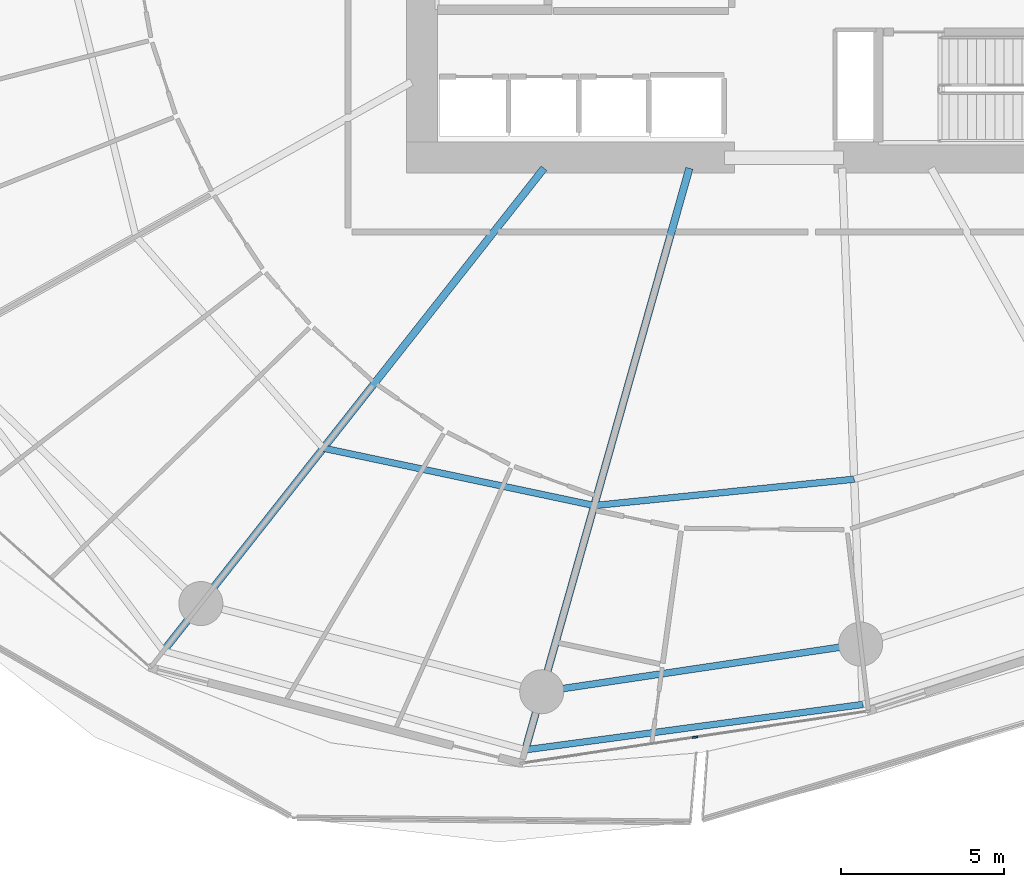
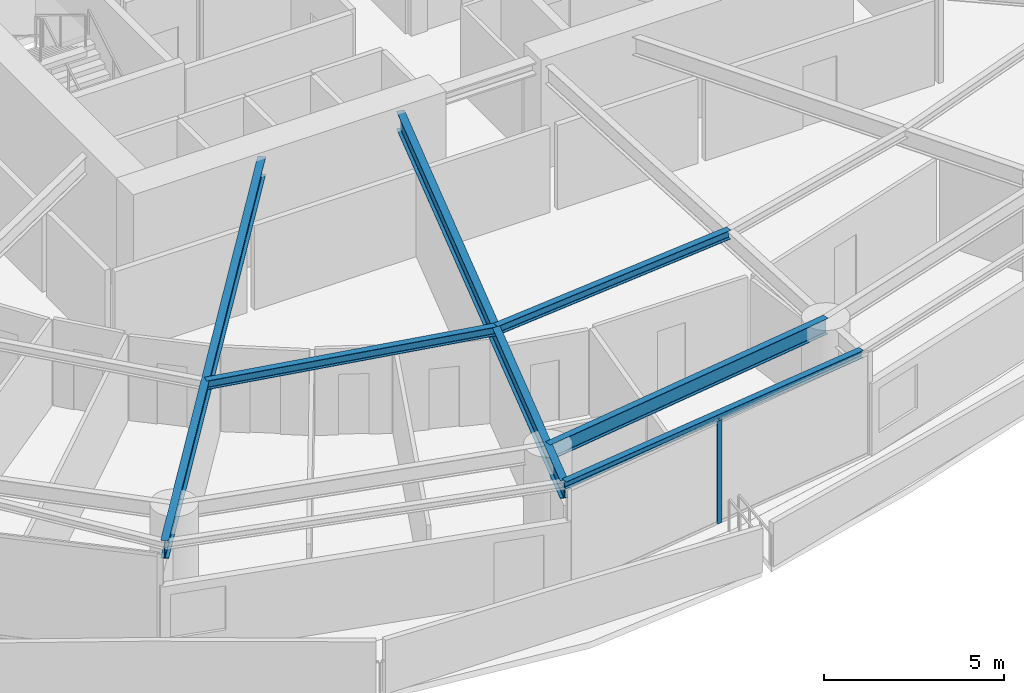
# One storey, part 8 of 30: 6 beams, 1 member, 1 element without a shape of its own.
"""IFC4 building model written with IfcOpenShell, lengths in metres."""

import ifcopenshell
import ifcopenshell.guid

model = None  # the IFC model being written
_history = None  # IfcOwnerHistory: only IFC2X3 demands one
_inside = {}  # id of a spatial element -> (the spatial element, [elements in it])
_under = {}  # id of a project, library or spatial element -> (it, [spatial elements below it])
_declared = {}  # id of a project -> (the project, [libraries it declares])
_typed = {}  # id of a type object -> (the type object, [elements of that type])
_made_of = {}  # id of a material, layer set ... -> (it, [elements and type objects made of it])


def new_model(schema):
    """Start an empty IFC model of exactly this schema.

    Asked for "IFC4X3", IfcOpenShell would pick the latest addendum, in which some entities
    have other attributes; the version numbers below select the first issue.
    IFC2X3 requires an IfcOwnerHistory on every rooted entity: one is made here for all.
    """
    global model, _history
    if schema == "IFC4X3":
        model = ifcopenshell.file(schema_version=(4, 3, 0, 0))
    else:
        model = ifcopenshell.file(schema=schema)
    _inside.clear()
    _under.clear()
    _declared.clear()
    _typed.clear()
    _made_of.clear()
    _history = None
    if model.schema == "IFC2X3":
        org = make("IfcOrganization", Name="unknown")
        user = make(
            "IfcPersonAndOrganization",
            ThePerson=make("IfcPerson", FamilyName="unknown"),
            TheOrganization=org,
        )
        app = make(
            "IfcApplication",
            ApplicationDeveloper=org,
            Version="unknown",
            ApplicationFullName="unknown",
            ApplicationIdentifier="unknown",
        )
        _history = make(
            "IfcOwnerHistory",
            OwningUser=user,
            OwningApplication=app,
            ChangeAction="ADDED",
            CreationDate=0,
        )
    return model


def make(cls, **values):
    """One entity of the class cls with the attributes given. An attribute that is None is left unset."""
    return model.create_entity(
        cls, **{name: value for name, value in values.items() if value is not None}
    )


def rooted(cls, **values):
    """An entity with a GlobalId (a new one), such as an element, a storey or a relation."""
    return make(cls, GlobalId=ifcopenshell.guid.new(), OwnerHistory=_history, **values)


def si_unit(unit_type, name, prefix=None):
    """IfcSIUnit, for example si_unit("LENGTHUNIT", "METRE", prefix="MILLI")."""
    return make("IfcSIUnit", UnitType=unit_type, Prefix=prefix, Name=name)


def assignment(units):
    """IfcUnitAssignment: the units of a project."""
    return None if units is None else make("IfcUnitAssignment", Units=units)


def point(xyz):
    """IfcCartesianPoint."""
    return None if xyz is None else make("IfcCartesianPoint", Coordinates=xyz)


def direction(xyz):
    """IfcDirection."""
    return None if xyz is None else make("IfcDirection", DirectionRatios=xyz)


def frame(location, z_axis=None, x_axis=None):
    """IfcAxis2Placement3D, a coordinate frame: its origin and axes. An axis left out is left unset."""
    return make(
        "IfcAxis2Placement3D",
        Location=point(location),
        Axis=direction(z_axis),
        RefDirection=direction(x_axis),
    )


def frame_2d(location, x_axis=None):
    """IfcAxis2Placement2D, a coordinate frame in the plane: its origin and x axis."""
    return make(
        "IfcAxis2Placement2D", Location=point(location), RefDirection=direction(x_axis)
    )


def origin():
    """The frame at (0, 0, 0) with its axes left unset."""
    return frame((0.0, 0.0, 0.0))


def origin_2d():
    """The frame at (0, 0) in the plane with its x axis left unset."""
    return frame_2d((0.0, 0.0))


def place(relative_to, where):
    """IfcLocalPlacement: puts the frame where relative to a parent placement (None: the world)."""
    return make(
        "IfcLocalPlacement", PlacementRelTo=relative_to, RelativePlacement=where
    )


def context(
    kind, dimensions, precision=None, world=None, true_north=None, identifier=None
):
    """IfcGeometricRepresentationContext, for example the 3D "Model" context."""
    return make(
        "IfcGeometricRepresentationContext",
        ContextIdentifier=identifier,
        ContextType=kind,
        CoordinateSpaceDimension=dimensions,
        Precision=precision,
        WorldCoordinateSystem=world,
        TrueNorth=true_north,
    )


def subcontext(parent, identifier, kind, view, scale=None):
    """IfcGeometricRepresentationSubContext, for example "Body" below "Model"."""
    return make(
        "IfcGeometricRepresentationSubContext",
        ContextIdentifier=identifier,
        ContextType=kind,
        ParentContext=parent,
        TargetScale=scale,
        TargetView=view,
    )


def project(units=None, contexts=None):
    """IfcProject with its units and contexts."""
    return rooted(
        "IfcProject",
        Name="project",
        RepresentationContexts=contexts,
        UnitsInContext=assignment(units),
    )


def spatial(cls, under=None, at=None, **own):
    """A site, building, storey or space (cls), placed at a placement, below another one or the project."""
    s = rooted(cls, ObjectPlacement=at, **own)
    if under is not None:
        _under.setdefault(under.id(), (under, []))[1].append(s)
    return s


def profile(cls, at=None, kind="AREA", **sizes):
    """A parametric profile (cls). Its sizes go by their IFC names, for example OverallWidth=200.0."""
    return make(cls, ProfileType=kind, Position=at, **sizes)


def rectangle(**sizes):
    """IfcRectangleProfileDef."""
    return profile("IfcRectangleProfileDef", **sizes)


def i_section(**sizes):
    """IfcIShapeProfileDef."""
    return profile("IfcIShapeProfileDef", **sizes)


def extrude(swept, where, along, depth):
    """IfcExtrudedAreaSolid: the profile swept, set in the frame where, extruded along a direction by depth."""
    return make(
        "IfcExtrudedAreaSolid",
        SweptArea=swept,
        Position=where,
        ExtrudedDirection=direction(along),
        Depth=depth,
    )


def shape(context_of_items, identifier, shape_type, items):
    """IfcShapeRepresentation: the items that make up one representation, for example the "Body"."""
    return make(
        "IfcShapeRepresentation",
        ContextOfItems=context_of_items,
        RepresentationIdentifier=identifier,
        RepresentationType=shape_type,
        Items=items,
    )


def material(Name=None, Category=None):
    """IfcMaterial."""
    return make("IfcMaterial", Name=Name, Category=Category)


def layer(
    of_material, thickness, ventilated=None, Name=None, Category=None, Priority=None
):
    """IfcMaterialLayer: one layer of a wall or slab, of a material (None: an air gap)."""
    return make(
        "IfcMaterialLayer",
        Material=of_material,
        LayerThickness=thickness,
        IsVentilated=ventilated,
        Name=Name,
        Category=Category,
        Priority=Priority,
    )


def layer_set(layers, Name=None):
    """IfcMaterialLayerSet."""
    return make("IfcMaterialLayerSet", MaterialLayers=layers, LayerSetName=Name)


def material_profile(
    of_material, cross_section, Name=None, Category=None, Priority=None
):
    """IfcMaterialProfile: a cross section and its material."""
    return make(
        "IfcMaterialProfile",
        Name=Name,
        Material=of_material,
        Profile=cross_section,
        Priority=Priority,
        Category=Category,
    )


def profile_set(profiles, Name=None, composite=None):
    """IfcMaterialProfileSet."""
    return make(
        "IfcMaterialProfileSet",
        Name=Name,
        MaterialProfiles=profiles,
        CompositeProfile=composite,
    )


def made_of(thing, what):
    """Note that an element or type object is made of a material, layer set ...; save() writes the relation."""
    if what is not None:
        _made_of.setdefault(what.id(), (what, []))[1].append(thing)
    return thing


def type_object(cls, material=None, **own):
    """A type object (cls), such as IfcWallType, which elements share."""
    return made_of(rooted(cls, **own), material)


def element(
    cls,
    number,
    at=None,
    inside=None,
    cuts=None,
    type_object=None,
    material=None,
    context=None,
    identifier="Body",
    shape_type=None,
    held_by="IfcProductDefinitionShape",
    body=None,
    shapes=None,
    **own,
):
    """One element of the class cls, such as IfcWall. Its Tag is "e" and its number.

    at: its placement. inside: the storey or other place that contains it. cuts: it is an
    opening in that element (IfcRelVoidsElement). A single representation is given by context,
    identifier, shape_type and body (its items); several are given by shapes. held_by: the class
    of the entity that holds the representations. save() writes the other relations.
    """
    e = rooted(cls, Tag="e%d" % number, ObjectPlacement=at, **own)
    if body is not None:
        shapes = [shape(context, identifier, shape_type, body)]
    if shapes is not None:
        e.Representation = make(held_by, Representations=shapes)
    if inside is not None:
        _inside.setdefault(inside.id(), (inside, []))[1].append(e)
    if cuts is not None:
        rooted(
            "IfcRelVoidsElement", RelatingBuildingElement=cuts, RelatedOpeningElement=e
        )
    if type_object is not None:
        _typed.setdefault(type_object.id(), (type_object, []))[1].append(e)
    return made_of(e, material)


def aggregate(whole, parts):
    """IfcRelAggregates: a whole, such as a stair, and the parts it consists of."""
    return rooted("IfcRelAggregates", RelatingObject=whole, RelatedObjects=parts)


def save(model, path):
    """Write the relations noted so far, then the file.

    IfcRelAggregates (storeys below a building ...), IfcRelContainedInSpatialStructure (elements
    in a storey), IfcRelDefinesByType, IfcRelAssociatesMaterial and IfcRelDeclares: one each for
    every whole, place, type object, material and project.
    """
    for whole, parts in _under.values():
        aggregate(whole, parts)
    for where, things in _inside.values():
        rooted(
            "IfcRelContainedInSpatialStructure",
            RelatedElements=things,
            RelatingStructure=where,
        )
    for kind, things in _typed.values():
        rooted("IfcRelDefinesByType", RelatedObjects=things, RelatingType=kind)
    for what, things in _made_of.values():
        rooted("IfcRelAssociatesMaterial", RelatedObjects=things, RelatingMaterial=what)
    for by, libraries in _declared.values():
        rooted("IfcRelDeclares", RelatingContext=by, RelatedDefinitions=libraries)
    model.write(path)


model = new_model("IFC4")

# Units and contexts
model_context = context("Model", 3, precision=1e-05, world=origin(), true_north=direction((0.0, 1.0)))
body_context = subcontext(model_context, "Body", "Model", "MODEL_VIEW")
ifc_project = project(units=[si_unit("LENGTHUNIT", "METRE"), si_unit("AREAUNIT", "SQUARE_METRE"), si_unit("VOLUMEUNIT", "CUBIC_METRE"), si_unit("PLANEANGLEUNIT", "RADIAN"), si_unit("MASSUNIT", "GRAM", prefix="KILO")], contexts=[model_context])

# Site, building, storey
site_placement = place(None, origin())
site = spatial("IfcSite", under=ifc_project, at=site_placement, CompositionType="ELEMENT")
building_placement = place(site_placement, origin())
building = spatial("IfcBuilding", under=site, at=building_placement, Name="Kazma Halo Residences", CompositionType="ELEMENT")
storey_placement = place(building_placement, frame((0.0, 0.0, 56.39990234375)))
storey = spatial("IfcBuildingStorey", under=building, at=storey_placement, Name="L13", CompositionType="ELEMENT", Elevation=56.39990234375)

# Beams
ifc_material_1 = material(Name="Steel S355", Category="steel")
ifc_material_profile_1 = material_profile(ifc_material_1, i_section(OverallWidth=0.201904296875, OverallDepth=0.2470703125, WebThickness=0.00732421875, FlangeThickness=0.010986328125, FilletRadius=0.011962890625, at=origin_2d()), Name="W250x49.1")
ifc_profile_set_1 = profile_set([ifc_material_profile_1], Name="Steel S355")
beam_type_1 = type_object("IfcBeamType", Name="BM-BAL-CANT", PredefinedType="BEAM", material=ifc_profile_set_1)
beam_1_placement = place(storey_placement, frame((40.489501953125, 15.3701171875, 3.376708984375), z_axis=(0.991080087388, 0.133267626912, 0.0), x_axis=(-0.133267626912, 0.991080087388, 0.0)))
element("IfcBeam", 1, at=beam_1_placement, inside=storey, type_object=beam_type_1, Name="L13 wave-balcony tie beam 11", PredefinedType="BEAM", context=body_context, shape_type="SweptSolid", body=[
    extrude(i_section(OverallWidth=0.201904296875, OverallDepth=0.2470703125, WebThickness=0.00732421875, FlangeThickness=0.010986328125, FilletRadius=0.011962890625, at=origin_2d()), origin(), (0.0, 0.0, 1.0), 10.444091796875),
])
ifc_material_profile_2 = material_profile(ifc_material_1, i_section(OverallWidth=0.22802734375, OverallDepth=0.60791015625, WebThickness=0.01123046875, FlangeThickness=0.017333984375, FilletRadius=0.01806640625, at=origin_2d()), Name="W610x113")
ifc_profile_set_2 = profile_set([ifc_material_profile_2], Name="Steel S355")
beam_type_2 = type_object("IfcBeamType", Name="BM-RAD-W610", PredefinedType="BEAM", material=ifc_profile_set_2)
beam_2_placement = place(storey_placement, frame((41.0625, 33.199951171875, 3.196044921875), z_axis=(-0.619092154321, -0.785318345932, 0.0), x_axis=(0.785318345932, -0.619092154321, 0.0)))
element("IfcBeam", 2, at=beam_2_placement, inside=storey, type_object=beam_type_2, Name="L13 radial floor beam 10", PredefinedType="BEAM", context=body_context, shape_type="SweptSolid", body=[
    extrude(i_section(OverallWidth=0.22802734375, OverallDepth=0.60791015625, WebThickness=0.01123046875, FlangeThickness=0.017333984375, FilletRadius=0.01806640625, at=origin_2d()), origin(), (0.0, 0.0, 1.0), 18.84375),
])
beam_3_placement = place(storey_placement, frame((45.51806640625, 33.199951171875, 3.196044921875), z_axis=(-0.271442010129, -0.962454796412, 0.0), x_axis=(0.962454796412, -0.271442010129, 0.0)))
element("IfcBeam", 3, at=beam_3_placement, inside=storey, type_object=beam_type_2, Name="L13 radial floor beam 11", PredefinedType="BEAM", context=body_context, shape_type="SweptSolid", body=[
    extrude(i_section(OverallWidth=0.22802734375, OverallDepth=0.60791015625, WebThickness=0.01123046875, FlangeThickness=0.017333984375, FilletRadius=0.01806640625, at=origin_2d()), origin(), (0.0, 0.0, 1.0), 18.525390625),
])
ifc_material_profile_3 = material_profile(ifc_material_1, i_section(OverallWidth=0.202880859375, OverallDepth=0.302978515625, WebThickness=0.007568359375, FlangeThickness=0.01318359375, FilletRadius=0.013916015625, at=origin_2d()), Name="W310x60")
ifc_profile_set_3 = profile_set([ifc_material_profile_3], Name="Steel S355")
beam_type_3 = type_object("IfcBeamType", Name="BM-SEC-W310A", PredefinedType="JOIST", material=ifc_profile_set_3)
beam_4_placement = place(storey_placement, frame((34.296142578125, 24.616943359375, 3.3486328125), z_axis=(0.97831665719, -0.207114746615, 0.0), x_axis=(0.207114746615, 0.97831665719, 0.0)))
element("IfcBeam", 4, at=beam_4_placement, inside=storey, type_object=beam_type_3, Name="L13 circumferential floor joist 10", PredefinedType="JOIST", context=body_context, shape_type="SweptSolid", body=[
    extrude(i_section(OverallWidth=0.202880859375, OverallDepth=0.302978515625, WebThickness=0.007568359375, FlangeThickness=0.01318359375, FilletRadius=0.013916015625, at=origin_2d()), origin(), (0.0, 0.0, 1.0), 8.489501953125),
])
beam_5_placement = place(storey_placement, frame((42.6015625, 22.858642578125, 3.3486328125), z_axis=(0.994907811148, 0.100789123008, 0.0), x_axis=(-0.100789123008, 0.994907811148, 0.0)))
element("IfcBeam", 5, at=beam_5_placement, inside=storey, type_object=beam_type_3, Name="L13 circumferential floor joist 11", PredefinedType="JOIST", context=body_context, shape_type="SweptSolid", body=[
    extrude(i_section(OverallWidth=0.202880859375, OverallDepth=0.302978515625, WebThickness=0.007568359375, FlangeThickness=0.01318359375, FilletRadius=0.013916015625, at=origin_2d()), origin(), (0.0, 0.0, 1.0), 8.010498046875),
])
ifc_material_profile_4 = material_profile(ifc_material_1, i_section(OverallWidth=0.208984375, OverallDepth=0.532958984375, WebThickness=0.01025390625, FlangeThickness=0.015625, FilletRadius=0.01611328125, at=origin_2d()), Name="W530x92")
ifc_profile_set_4 = profile_set([ifc_material_profile_4], Name="Steel S355")
beam_type_4 = type_object("IfcBeamType", Name="BM-SPN-W530", PredefinedType="BEAM", material=ifc_profile_set_4)
beam_6_placement = place(storey_placement, frame((40.99169921875, 17.150634765625, 3.233642578125), z_axis=(0.989033061974, 0.147694286693, 0.0), x_axis=(-0.147694286693, 0.989033061974, 0.0)))
element("IfcBeam", 6, at=beam_6_placement, inside=storey, type_object=beam_type_4, Name="L13 perimeter ring beam 11", PredefinedType="BEAM", context=body_context, shape_type="SweptSolid", body=[
    extrude(i_section(OverallWidth=0.208984375, OverallDepth=0.532958984375, WebThickness=0.01025390625, FlangeThickness=0.015625, FilletRadius=0.01611328125, at=origin_2d()), origin(), (0.0, 0.0, 1.0), 9.885009765625),
])

# Curtain wall, member
ifc_material_2 = material(Name="Aluminium AW-6063 T6 and Triple-Silver Low-E Glass", Category="aluminium")
ifc_layer = layer(ifc_material_2, 0.159912109375)
ifc_layer_set = layer_set([ifc_layer], Name="Aluminium AW-6063 T6 and Triple-Silver Low-E Glass")
curtain_wall_type = type_object("IfcCurtainWallType", Name="CW-SYS-2", PredefinedType="NOTDEFINED", material=ifc_layer_set)
curtain_wall_placement = place(storey_placement, origin())
curtain_wall = element("IfcCurtainWall", 7, at=curtain_wall_placement, inside=storey, type_object=curtain_wall_type, Name="L13 unitised curtain wall B11", PredefinedType="NOTDEFINED")
ifc_material_3 = material(Name="Aluminium AW-6063 T6", Category="aluminium")
ifc_material_profile_5 = material_profile(ifc_material_3, rectangle(XDim=0.06005859375, YDim=0.159912109375, at=origin_2d()), Name="CWM-60x160")
ifc_profile_set_5 = profile_set([ifc_material_profile_5], Name="Aluminium AW-6063 T6")
member_type = type_object("IfcMemberType", Name="CW-SYS-2-MUL", PredefinedType="MULLION", material=ifc_profile_set_5)
member_placement = place(storey_placement, frame((45.6923828125, 15.75732421875, 0.0), z_axis=(0.0, 0.0, 1.0), x_axis=(-0.148657272805, 0.988888777994, 0.0)))
member = element("IfcMember", 8, at=member_placement, type_object=member_type, Name="CWS-2 mullion 2", PredefinedType="MULLION", context=body_context, shape_type="SweptSolid", body=[
    extrude(rectangle(XDim=0.06005859375, YDim=0.159912109375, at=origin_2d()), origin(), (0.0, 0.0, 1.0), 3.5),
])
aggregate(curtain_wall, [member])

save(model, "model.ifc")
